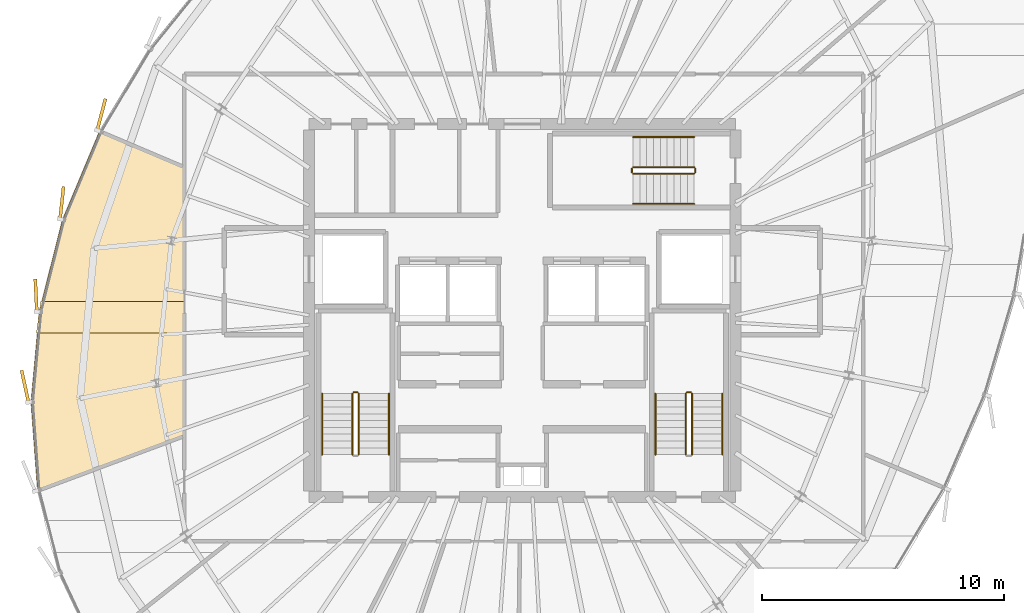
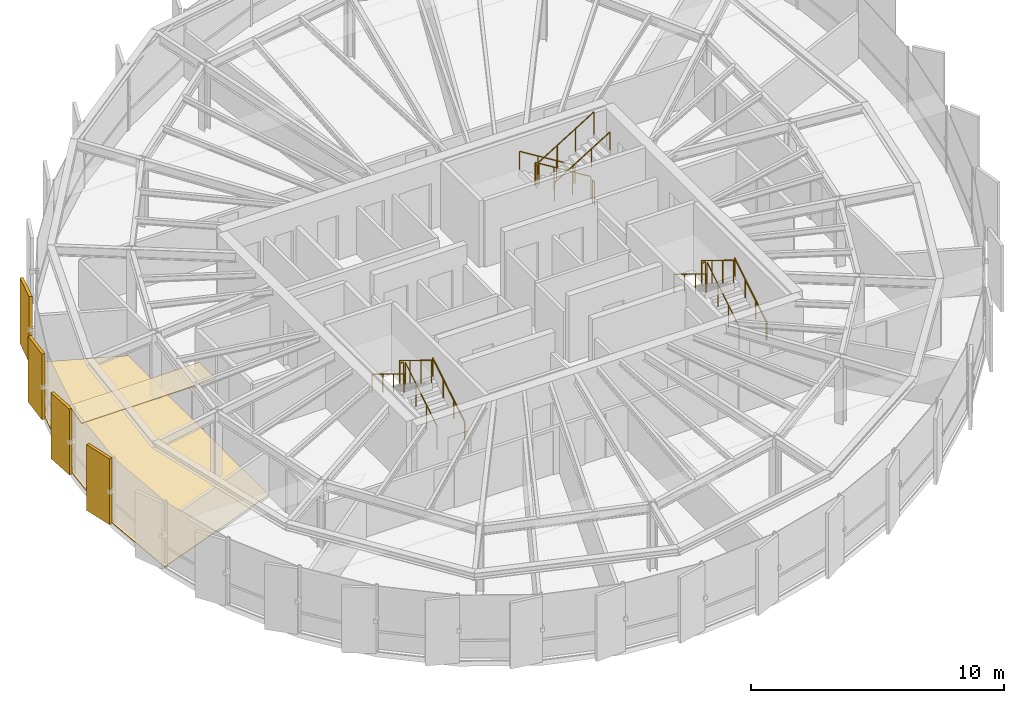
# One storey, part 32 of 33: 16 railings, 6 coverings.
"""IFC4 building model written with IfcOpenShell, lengths in metres."""

from ifc_helpers import new_model, si_unit, direction, frame, origin, origin_2d, place, context, subcontext, project, spatial, polyline, rectangle, circle, outline, extrude, source, transform, mapped, material, layer, layer_set, type_object, element, save


model = new_model("IFC4")

# Units and contexts
model_context = context("Model", 3, precision=1e-05, world=origin(), true_north=direction((0.0, 1.0)))
body_context = subcontext(model_context, "Body", "Model", "MODEL_VIEW")
ifc_project = project(units=[si_unit("LENGTHUNIT", "METRE"), si_unit("AREAUNIT", "SQUARE_METRE"), si_unit("VOLUMEUNIT", "CUBIC_METRE"), si_unit("PLANEANGLEUNIT", "RADIAN"), si_unit("MASSUNIT", "GRAM", prefix="KILO"), si_unit("THERMODYNAMICTEMPERATUREUNIT", "KELVIN")], contexts=[model_context])

# Site, building, storey
site_placement = place(None, origin())
site = spatial("IfcSite", under=ifc_project, at=site_placement, CompositionType="ELEMENT")
building_placement = place(site_placement, origin())
building = spatial("IfcBuilding", under=site, at=building_placement, Name="Kethvar Cultural Tower", CompositionType="ELEMENT")
storey_placement = place(building_placement, frame((0.0, 0.0, 256.0)))
storey = spatial("IfcBuildingStorey", under=building, at=storey_placement, Name="L67", CompositionType="ELEMENT", Elevation=256.0)

# Coverings
ifc_material_1 = material(Name="Acoustic Mineral Fibre Ceiling")
ifc_layer_1 = layer(ifc_material_1, 0.0400390625, Name="Acoustic Mineral Fibre Ceiling")
ifc_layer_set_1 = layer_set([ifc_layer_1], Name="Acoustic Mineral Fibre Ceiling (40 mm)")
covering_type_1 = type_object("IfcCoveringType", Name="CV-ACOUSTIC-CEIL", PredefinedType="CEILING", material=ifc_layer_set_1)
covering_1_placement = place(storey_placement, frame((0.0, 0.0, 3.0)))
element("IfcCovering", 1, at=covering_1_placement, inside=storey, type_object=covering_type_1, Name="L67 Room 12 Acoustic Ceiling Panel", PredefinedType="CEILING", context=body_context, shape_type="SweptSolid", body=[
    extrude(outline(polyline([(26.7373046875, 26.861572265625), (26.919921875, 28.171630859375), (32.8701171875, 28.171630859375), (32.8701171875, 26.861572265625), (26.7373046875, 26.861572265625)])), origin(), (0.0, 0.0, 1.0), 0.0400390625),
])
ifc_material_2 = material(Name="Architectural Oak Timber", Category="wood")
ifc_layer_2 = layer(ifc_material_2, 0.02490234375, Name="Architectural Oak Timber", Category="wood")
ifc_layer_set_2 = layer_set([ifc_layer_2], Name="Architectural Oak Timber (25 mm)")
covering_type_2 = type_object("IfcCoveringType", Name="CV-OAK-FLOOR", PredefinedType="FLOORING", material=ifc_layer_set_2)
covering_2_placement = place(storey_placement, origin())
element("IfcCovering", 2, at=covering_2_placement, inside=storey, type_object=covering_type_2, Name="L67 Room 12 Floor Finish", PredefinedType="FLOORING", context=body_context, shape_type="SweptSolid", body=[
    extrude(outline(polyline([(26.515869140625, 24.011962890625), (26.861328125, 27.777099609375), (27.81298828125, 31.54296875), (29.334228515625, 35.177978515625), (32.830078125, 33.697021484375), (32.830078125, 22.63232421875), (26.784912109375, 20.386962890625), (26.515869140625, 24.011962890625)])), origin(), (0.0, 0.0, 1.0), 0.02490234375),
])

# Railings
ifc_material_3 = material(Name="Steel S355J2", Category="steel")
railing_type_1 = type_object("IfcRailingType", Name="RL-STAIR-GUARD", PredefinedType="BALUSTRADE", material=ifc_material_3)
railing_1_placement = place(storey_placement, frame((40.050048828125, 21.85009765625, 0.172607421875)))
element("IfcRailing", 3, at=railing_1_placement, inside=storey, type_object=railing_type_1, Name="L67 ST-01 stair guard 1", PredefinedType="BALUSTRADE", context=body_context, shape_type="SweptSolid", body=[
    extrude(circle(Radius=0.02392578125, at=origin_2d()), frame((0.0, 0.0, 1.09619140625), z_axis=(0.0, 0.851400495292, 0.524516154772), x_axis=(-1.0, 0.0, 0.0)), (0.0, 0.0, 1.0), 2.9599609375),
    extrude(circle(Radius=0.02099609375, at=origin_2d()), origin(), (0.0, 0.0, 1.0), 1.072021484375),
    extrude(circle(Radius=0.02099609375, at=origin_2d()), frame((0.0, 0.840087890625, 0.517578125)), (0.0, 0.0, 1.0), 1.072021484375),
    extrude(circle(Radius=0.02099609375, at=origin_2d()), frame((0.0, 1.679931640625, 1.034912109375)), (0.0, 0.0, 1.0), 1.072021484375),
    extrude(circle(Radius=0.02099609375, at=origin_2d()), frame((0.0, 2.52001953125, 1.552490234375)), (0.0, 0.0, 1.0), 1.072021484375),
])
railing_2_placement = place(storey_placement, frame((40.0, 24.419921875, 1.72509765625)))
element("IfcRailing", 4, at=railing_2_placement, inside=storey, type_object=railing_type_1, Name="L67 ST-01 stair guard 2", PredefinedType="BALUSTRADE", context=body_context, shape_type="SweptSolid", body=[
    extrude(circle(Radius=0.02392578125, at=origin_2d()), frame((0.0, 0.0, 1.09619140625), z_axis=(-1.0, 0.0, 0.0), x_axis=(0.0, -1.0, 0.0)), (0.0, 0.0, 1.0), 0.159912109375),
    extrude(circle(Radius=0.02099609375, at=origin_2d()), origin(), (0.0, 0.0, 1.0), 1.072021484375),
    extrude(circle(Radius=0.02099609375, at=origin_2d()), frame((-0.159912109375, 0.0, 0.0)), (0.0, 0.0, 1.0), 1.072021484375),
])
railing_3_placement = place(storey_placement, frame((39.7900390625, 24.3701171875, 1.8974609375)))
element("IfcRailing", 5, at=railing_3_placement, inside=storey, type_object=railing_type_1, Name="L67 ST-01 stair guard 3", PredefinedType="BALUSTRADE", context=body_context, shape_type="SweptSolid", body=[
    extrude(circle(Radius=0.02392578125, at=origin_2d()), frame((0.0, 0.0, 1.09619140625), z_axis=(0.0, -0.851400495292, 0.524516154772), x_axis=(1.0, 0.0, 0.0)), (0.0, 0.0, 1.0), 2.9599609375),
    extrude(circle(Radius=0.02099609375, at=origin_2d()), origin(), (0.0, 0.0, 1.0), 1.072021484375),
    extrude(circle(Radius=0.02099609375, at=origin_2d()), frame((0.0, -0.840087890625, 0.517578125)), (0.0, 0.0, 1.0), 1.072021484375),
    extrude(circle(Radius=0.02099609375, at=origin_2d()), frame((0.0, -1.679931640625, 1.034912109375)), (0.0, 0.0, 1.0), 1.072021484375),
    extrude(circle(Radius=0.02099609375, at=origin_2d()), frame((0.0, -2.52001953125, 1.552490234375)), (0.0, 0.0, 1.0), 1.072021484375),
])
railing_4_placement = place(storey_placement, frame((53.81005859375, 21.85009765625, 0.172607421875)))
element("IfcRailing", 6, at=railing_4_placement, inside=storey, type_object=railing_type_1, Name="L67 ST-02 stair guard 1", PredefinedType="BALUSTRADE", context=body_context, shape_type="SweptSolid", body=[
    extrude(circle(Radius=0.02392578125, at=origin_2d()), frame((0.0, 0.0, 1.09619140625), z_axis=(0.0, 0.851400495292, 0.524516154772), x_axis=(-1.0, 0.0, 0.0)), (0.0, 0.0, 1.0), 2.9599609375),
    extrude(circle(Radius=0.02099609375, at=origin_2d()), origin(), (0.0, 0.0, 1.0), 1.072021484375),
    extrude(circle(Radius=0.02099609375, at=origin_2d()), frame((0.0, 0.840087890625, 0.517578125)), (0.0, 0.0, 1.0), 1.072021484375),
    extrude(circle(Radius=0.02099609375, at=origin_2d()), frame((0.0, 1.679931640625, 1.034912109375)), (0.0, 0.0, 1.0), 1.072021484375),
    extrude(circle(Radius=0.02099609375, at=origin_2d()), frame((0.0, 2.52001953125, 1.552490234375)), (0.0, 0.0, 1.0), 1.072021484375),
])
railing_5_placement = place(storey_placement, frame((53.760009765625, 24.419921875, 1.72509765625)))
element("IfcRailing", 7, at=railing_5_placement, inside=storey, type_object=railing_type_1, Name="L67 ST-02 stair guard 2", PredefinedType="BALUSTRADE", context=body_context, shape_type="SweptSolid", body=[
    extrude(circle(Radius=0.02392578125, at=origin_2d()), frame((0.0, 0.0, 1.09619140625), z_axis=(-1.0, 0.0, 0.0), x_axis=(0.0, -1.0, 0.0)), (0.0, 0.0, 1.0), 0.159912109375),
    extrude(circle(Radius=0.02099609375, at=origin_2d()), origin(), (0.0, 0.0, 1.0), 1.072021484375),
    extrude(circle(Radius=0.02099609375, at=origin_2d()), frame((-0.159912109375, 0.0, 0.0)), (0.0, 0.0, 1.0), 1.072021484375),
])
railing_6_placement = place(storey_placement, frame((53.550048828125, 24.3701171875, 1.8974609375)))
element("IfcRailing", 8, at=railing_6_placement, inside=storey, type_object=railing_type_1, Name="L67 ST-02 stair guard 3", PredefinedType="BALUSTRADE", context=body_context, shape_type="SweptSolid", body=[
    extrude(circle(Radius=0.02392578125, at=origin_2d()), frame((0.0, 0.0, 1.09619140625), z_axis=(0.0, -0.851400495292, 0.524516154772), x_axis=(1.0, 0.0, 0.0)), (0.0, 0.0, 1.0), 2.9599609375),
    extrude(circle(Radius=0.02099609375, at=origin_2d()), origin(), (0.0, 0.0, 1.0), 1.072021484375),
    extrude(circle(Radius=0.02099609375, at=origin_2d()), frame((0.0, -0.840087890625, 0.517578125)), (0.0, 0.0, 1.0), 1.072021484375),
    extrude(circle(Radius=0.02099609375, at=origin_2d()), frame((0.0, -1.679931640625, 1.034912109375)), (0.0, 0.0, 1.0), 1.072021484375),
    extrude(circle(Radius=0.02099609375, at=origin_2d()), frame((0.0, -2.52001953125, 1.552490234375)), (0.0, 0.0, 1.0), 1.072021484375),
])
railing_7_placement = place(storey_placement, frame((53.89990234375, 33.7099609375, 0.172607421875)))
element("IfcRailing", 9, at=railing_7_placement, inside=storey, type_object=railing_type_1, Name="L67 ST-03 stair guard 1", PredefinedType="BALUSTRADE", context=body_context, shape_type="SweptSolid", body=[
    extrude(circle(Radius=0.02392578125, at=origin_2d()), frame((0.0, 0.0, 1.09619140625), z_axis=(-0.851400495292, 0.0, 0.524516154772), x_axis=(0.0, -1.0, 0.0)), (0.0, 0.0, 1.0), 2.9599609375),
    extrude(circle(Radius=0.02099609375, at=origin_2d()), origin(), (0.0, 0.0, 1.0), 1.072021484375),
    extrude(circle(Radius=0.02099609375, at=origin_2d()), frame((-0.840087890625, 0.0, 0.517578125)), (0.0, 0.0, 1.0), 1.072021484375),
    extrude(circle(Radius=0.02099609375, at=origin_2d()), frame((-1.679931640625, 0.0, 1.034912109375)), (0.0, 0.0, 1.0), 1.072021484375),
    extrude(circle(Radius=0.02099609375, at=origin_2d()), frame((-2.52001953125, 0.0, 1.552490234375)), (0.0, 0.0, 1.0), 1.072021484375),
])
railing_8_placement = place(storey_placement, frame((51.330078125, 33.659912109375, 1.72509765625)))
element("IfcRailing", 10, at=railing_8_placement, inside=storey, type_object=railing_type_1, Name="L67 ST-03 stair guard 2", PredefinedType="BALUSTRADE", context=body_context, shape_type="SweptSolid", body=[
    extrude(circle(Radius=0.02392578125, at=origin_2d()), frame((0.0, 0.0, 1.09619140625), z_axis=(0.0, -1.0, 0.0), x_axis=(1.0, 0.0, 0.0)), (0.0, 0.0, 1.0), 0.159912109375),
    extrude(circle(Radius=0.02099609375, at=origin_2d()), origin(), (0.0, 0.0, 1.0), 1.072021484375),
    extrude(circle(Radius=0.02099609375, at=origin_2d()), frame((0.0, -0.159912109375, 0.0)), (0.0, 0.0, 1.0), 1.072021484375),
])
railing_9_placement = place(storey_placement, frame((51.3798828125, 33.449951171875, 1.8974609375)))
element("IfcRailing", 11, at=railing_9_placement, inside=storey, type_object=railing_type_1, Name="L67 ST-03 stair guard 3", PredefinedType="BALUSTRADE", context=body_context, shape_type="SweptSolid", body=[
    extrude(circle(Radius=0.02392578125, at=origin_2d()), frame((0.0, 0.0, 1.09619140625), z_axis=(0.851400495292, 0.0, 0.524516154772), x_axis=(0.0, 1.0, 0.0)), (0.0, 0.0, 1.0), 2.9599609375),
    extrude(circle(Radius=0.02099609375, at=origin_2d()), origin(), (0.0, 0.0, 1.0), 1.072021484375),
    extrude(circle(Radius=0.02099609375, at=origin_2d()), frame((0.840087890625, 0.0, 0.517578125)), (0.0, 0.0, 1.0), 1.072021484375),
    extrude(circle(Radius=0.02099609375, at=origin_2d()), frame((1.679931640625, 0.0, 1.034912109375)), (0.0, 0.0, 1.0), 1.072021484375),
    extrude(circle(Radius=0.02099609375, at=origin_2d()), frame((2.52001953125, 0.0, 1.552490234375)), (0.0, 0.0, 1.0), 1.072021484375),
])
railing_10_placement = place(storey_placement, frame((53.949951171875, 33.659912109375, 0.0)))
element("IfcRailing", 12, at=railing_10_placement, inside=storey, type_object=railing_type_1, Name="L67 ST-03 stair guard 4", PredefinedType="BALUSTRADE", context=body_context, shape_type="SweptSolid", body=[
    extrude(circle(Radius=0.02392578125, at=origin_2d()), frame((0.0, 0.0, 1.09619140625), z_axis=(0.0, -1.0, 0.0), x_axis=(1.0, 0.0, 0.0)), (0.0, 0.0, 1.0), 0.159912109375),
    extrude(circle(Radius=0.02099609375, at=origin_2d()), origin(), (0.0, 0.0, 1.0), 1.072021484375),
    extrude(circle(Radius=0.02099609375, at=origin_2d()), frame((0.0, -0.159912109375, 0.0)), (0.0, 0.0, 1.0), 1.072021484375),
])
railing_type_2 = type_object("IfcRailingType", Name="RL-STAIR-HANDRAIL", PredefinedType="HANDRAIL", material=ifc_material_3)
railing_11_placement = place(storey_placement, frame((41.300048828125, 21.85009765625, 0.172607421875)))
element("IfcRailing", 13, at=railing_11_placement, inside=storey, type_object=railing_type_2, Name="L67 ST-01 stair handrail 1", PredefinedType="HANDRAIL", context=body_context, shape_type="SweptSolid", body=[
    extrude(circle(Radius=0.02392578125, at=origin_2d()), frame((0.0, 0.0, 0.8759765625), z_axis=(0.0, 0.851400495292, 0.524516154772), x_axis=(-1.0, 0.0, 0.0)), (0.0, 0.0, 1.0), 2.9599609375),
    extrude(circle(Radius=0.02099609375, at=origin_2d()), origin(), (0.0, 0.0, 1.0), 0.851806640625),
    extrude(circle(Radius=0.02099609375, at=origin_2d()), frame((0.0, 0.840087890625, 0.517578125)), (0.0, 0.0, 1.0), 0.851806640625),
    extrude(circle(Radius=0.02099609375, at=origin_2d()), frame((0.0, 1.679931640625, 1.034912109375)), (0.0, 0.0, 1.0), 0.851806640625),
    extrude(circle(Radius=0.02099609375, at=origin_2d()), frame((0.0, 2.52001953125, 1.552490234375)), (0.0, 0.0, 1.0), 0.851806640625),
])
railing_12_placement = place(storey_placement, frame((38.5400390625, 24.3701171875, 1.8974609375)))
element("IfcRailing", 14, at=railing_12_placement, inside=storey, type_object=railing_type_2, Name="L67 ST-01 stair handrail 2", PredefinedType="HANDRAIL", context=body_context, shape_type="SweptSolid", body=[
    extrude(circle(Radius=0.02392578125, at=origin_2d()), frame((0.0, 0.0, 0.8759765625), z_axis=(0.0, -0.851400495292, 0.524516154772), x_axis=(1.0, 0.0, 0.0)), (0.0, 0.0, 1.0), 2.9599609375),
    extrude(circle(Radius=0.02099609375, at=origin_2d()), origin(), (0.0, 0.0, 1.0), 0.851806640625),
    extrude(circle(Radius=0.02099609375, at=origin_2d()), frame((0.0, -0.840087890625, 0.517578125)), (0.0, 0.0, 1.0), 0.851806640625),
    extrude(circle(Radius=0.02099609375, at=origin_2d()), frame((0.0, -1.679931640625, 1.034912109375)), (0.0, 0.0, 1.0), 0.851806640625),
    extrude(circle(Radius=0.02099609375, at=origin_2d()), frame((0.0, -2.52001953125, 1.552490234375)), (0.0, 0.0, 1.0), 0.851806640625),
])
railing_13_placement = place(storey_placement, frame((55.06005859375, 21.85009765625, 0.172607421875)))
element("IfcRailing", 15, at=railing_13_placement, inside=storey, type_object=railing_type_2, Name="L67 ST-02 stair handrail 1", PredefinedType="HANDRAIL", context=body_context, shape_type="SweptSolid", body=[
    extrude(circle(Radius=0.02392578125, at=origin_2d()), frame((0.0, 0.0, 0.8759765625), z_axis=(0.0, 0.851400495292, 0.524516154772), x_axis=(-1.0, 0.0, 0.0)), (0.0, 0.0, 1.0), 2.9599609375),
    extrude(circle(Radius=0.02099609375, at=origin_2d()), origin(), (0.0, 0.0, 1.0), 0.851806640625),
    extrude(circle(Radius=0.02099609375, at=origin_2d()), frame((0.0, 0.840087890625, 0.517578125)), (0.0, 0.0, 1.0), 0.851806640625),
    extrude(circle(Radius=0.02099609375, at=origin_2d()), frame((0.0, 1.679931640625, 1.034912109375)), (0.0, 0.0, 1.0), 0.851806640625),
    extrude(circle(Radius=0.02099609375, at=origin_2d()), frame((0.0, 2.52001953125, 1.552490234375)), (0.0, 0.0, 1.0), 0.851806640625),
])
railing_14_placement = place(storey_placement, frame((52.300048828125, 24.3701171875, 1.8974609375)))
element("IfcRailing", 16, at=railing_14_placement, inside=storey, type_object=railing_type_2, Name="L67 ST-02 stair handrail 2", PredefinedType="HANDRAIL", context=body_context, shape_type="SweptSolid", body=[
    extrude(circle(Radius=0.02392578125, at=origin_2d()), frame((0.0, 0.0, 0.8759765625), z_axis=(0.0, -0.851400495292, 0.524516154772), x_axis=(1.0, 0.0, 0.0)), (0.0, 0.0, 1.0), 2.9599609375),
    extrude(circle(Radius=0.02099609375, at=origin_2d()), origin(), (0.0, 0.0, 1.0), 0.851806640625),
    extrude(circle(Radius=0.02099609375, at=origin_2d()), frame((0.0, -0.840087890625, 0.517578125)), (0.0, 0.0, 1.0), 0.851806640625),
    extrude(circle(Radius=0.02099609375, at=origin_2d()), frame((0.0, -1.679931640625, 1.034912109375)), (0.0, 0.0, 1.0), 0.851806640625),
    extrude(circle(Radius=0.02099609375, at=origin_2d()), frame((0.0, -2.52001953125, 1.552490234375)), (0.0, 0.0, 1.0), 0.851806640625),
])
railing_15_placement = place(storey_placement, frame((53.89990234375, 34.9599609375, 0.172607421875)))
element("IfcRailing", 17, at=railing_15_placement, inside=storey, type_object=railing_type_2, Name="L67 ST-03 stair handrail 1", PredefinedType="HANDRAIL", context=body_context, shape_type="SweptSolid", body=[
    extrude(circle(Radius=0.02392578125, at=origin_2d()), frame((0.0, 0.0, 0.8759765625), z_axis=(-0.851400495292, 0.0, 0.524516154772), x_axis=(0.0, -1.0, 0.0)), (0.0, 0.0, 1.0), 2.9599609375),
    extrude(circle(Radius=0.02099609375, at=origin_2d()), origin(), (0.0, 0.0, 1.0), 0.851806640625),
    extrude(circle(Radius=0.02099609375, at=origin_2d()), frame((-0.840087890625, 0.0, 0.517578125)), (0.0, 0.0, 1.0), 0.851806640625),
    extrude(circle(Radius=0.02099609375, at=origin_2d()), frame((-1.679931640625, 0.0, 1.034912109375)), (0.0, 0.0, 1.0), 0.851806640625),
    extrude(circle(Radius=0.02099609375, at=origin_2d()), frame((-2.52001953125, 0.0, 1.552490234375)), (0.0, 0.0, 1.0), 0.851806640625),
])
railing_16_placement = place(storey_placement, frame((51.3798828125, 32.199951171875, 1.8974609375)))
element("IfcRailing", 18, at=railing_16_placement, inside=storey, type_object=railing_type_2, Name="L67 ST-03 stair handrail 2", PredefinedType="HANDRAIL", context=body_context, shape_type="SweptSolid", body=[
    extrude(circle(Radius=0.02392578125, at=origin_2d()), frame((0.0, 0.0, 0.8759765625), z_axis=(0.851400495292, 0.0, 0.524516154772), x_axis=(0.0, 1.0, 0.0)), (0.0, 0.0, 1.0), 2.9599609375),
    extrude(circle(Radius=0.02099609375, at=origin_2d()), origin(), (0.0, 0.0, 1.0), 0.851806640625),
    extrude(circle(Radius=0.02099609375, at=origin_2d()), frame((0.840087890625, 0.0, 0.517578125)), (0.0, 0.0, 1.0), 0.851806640625),
    extrude(circle(Radius=0.02099609375, at=origin_2d()), frame((1.679931640625, 0.0, 1.034912109375)), (0.0, 0.0, 1.0), 0.851806640625),
    extrude(circle(Radius=0.02099609375, at=origin_2d()), frame((2.52001953125, 0.0, 1.552490234375)), (0.0, 0.0, 1.0), 0.851806640625),
])

# Coverings
ifc_material_4 = material(Name="Extruded Architectural Terracotta", Category="masonry")
ifc_layer_3 = layer(ifc_material_4, 0.135009765625, Name="Extruded Architectural Terracotta", Category="masonry")
ifc_layer_set_3 = layer_set([ifc_layer_3], Name="Extruded Architectural Terracotta (135 mm)")
covering_type_3 = type_object("IfcCoveringType", Name="Terracotta Facade Fin FIN-03", PredefinedType="CLADDING", material=ifc_layer_set_3)
shared_shape = source(origin(), body_context, "Body", "SweptSolid", [
    extrude(rectangle(XDim=1.35009765625, YDim=0.135009765625, at=origin_2d()), origin(), (0.0, 0.0, 1.0), 3.169921875),
])
for number, where, z_axis, x_axis, name in (
    (19, (29.421142578125, 35.88818359375, 0.02001953125), (0.0, 0.0, 1.0), (0.253926760789, 0.967223448927, 0.0), "L67 Vertical Terracotta Fin 2.5"),
    (20, (27.7890625, 32.239990234375, 0.02001953125), (0.0, 0.0, 1.0), (0.107652324982, 0.994188602291, 0.0), "L67 Vertical Terracotta Fin 2.6"),
    (21, (26.726318359375, 28.426513671875, 0.02001953125), (0.0, 0.0, 1.0), (-0.04815245972, 0.998839997509, 0.0), "L67 Vertical Terracotta Fin 3.1"),
    (22, (26.27294921875, 24.665771484375, 0.02001953125), (0.0, 0.0, 1.0), (-0.212007109922, 0.977268123568, 0.0), "L67 Vertical Terracotta Fin 3.2"),
):
    element("IfcCovering", number, at=place(storey_placement, frame(where, z_axis=z_axis, x_axis=x_axis)), inside=storey, type_object=covering_type_3, Name=name, PredefinedType="CLADDING", context=body_context, shape_type="MappedRepresentation", body=[
        mapped(shared_shape, transform((0.0, 0.0, 0.0), scale=1.0)),
    ])

save(model, "model.ifc")
